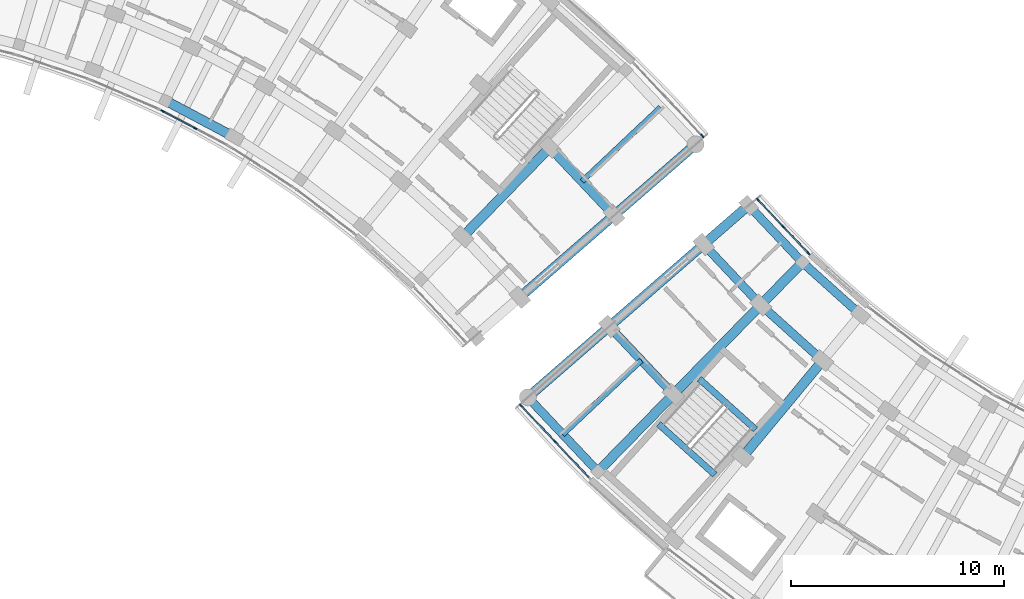
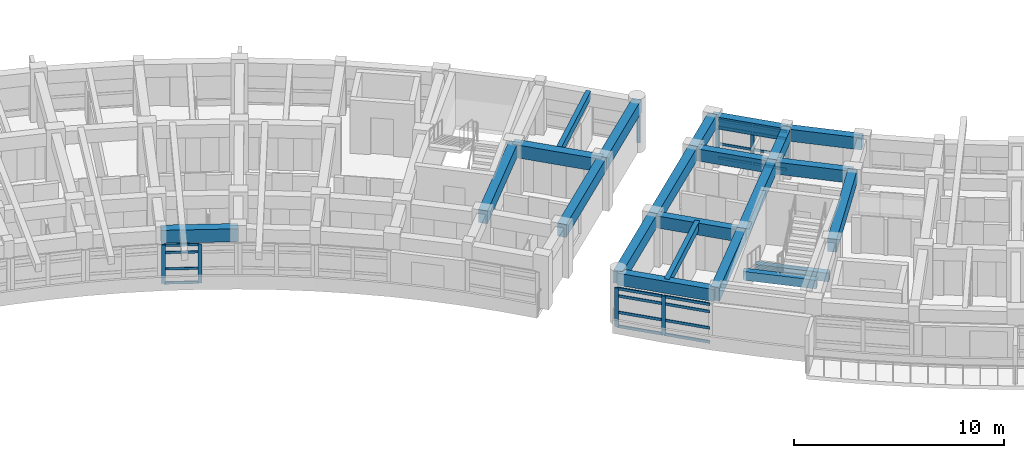
# One storey, part 21 of 70: 28 members, 22 beams, 4 elements without a shape of their own.
"""IFC4 building model written with IfcOpenShell, lengths in metres."""

from ifc_helpers import new_model, si_unit, direction, frame, origin, origin_2d, place, context, subcontext, project, spatial, rectangle, extrude, material, material_profile, profile_set, type_object, element, aggregate, save


model = new_model("IFC4")

# Units and contexts
model_context = context("Model", 3, precision=1e-05, world=origin(), true_north=direction((0.0, 1.0)))
body_context = subcontext(model_context, "Body", "Model", "MODEL_VIEW")
ifc_project = project(units=[si_unit("LENGTHUNIT", "METRE"), si_unit("AREAUNIT", "SQUARE_METRE"), si_unit("VOLUMEUNIT", "CUBIC_METRE"), si_unit("PLANEANGLEUNIT", "RADIAN"), si_unit("MASSUNIT", "GRAM", prefix="KILO")], contexts=[model_context])

# Site, building, storey
site_placement = place(None, origin())
site = spatial("IfcSite", under=ifc_project, at=site_placement, CompositionType="ELEMENT")
building_placement = place(site_placement, origin())
building = spatial("IfcBuilding", under=site, at=building_placement, Name="Zimvara Arc Housing Community", CompositionType="ELEMENT")
storey_placement = place(building_placement, frame((0.0, 0.0, 8.10009765625)))
storey = spatial("IfcBuildingStorey", under=building, at=storey_placement, Name="L02", CompositionType="ELEMENT", Elevation=8.10009765625)

# Beams
ifc_material_1 = material(Name="Concrete C40/50", Category="concrete")
ifc_material_profile_1 = material_profile(ifc_material_1, rectangle(XDim=0.25, YDim=0.449951171875, at=origin_2d()), Name="RC 250x450")
ifc_profile_set_1 = profile_set([ifc_material_profile_1], Name="Concrete C40/50")
beam_type_1 = type_object("IfcBeamType", Name="BM-RC-250x450", PredefinedType="JOIST", material=ifc_profile_set_1)
for number, where, z_axis, x_axis, name in (
    (1, (84.095703125, 81.3935546875, 2.65478515625), (0.727299876429, 0.686319815936, 0.0), (-0.686319815936, 0.727299876429, 0.0), "bm:blkB:L02:joist:b9"),
    (2, (86.88427734375, 72.966552734375, 2.65478515625), (-0.727299876429, -0.686319815936, 0.0), (0.686319815936, -0.727299876429, 0.0), "bm:blkC:L02:joist:b0"),
):
    element("IfcBeam", number, at=place(storey_placement, frame(where, z_axis=z_axis, x_axis=x_axis)), inside=storey, type_object=beam_type_1, Name=name, PredefinedType="JOIST", context=body_context, shape_type="SweptSolid", body=[
        extrude(rectangle(XDim=0.25, YDim=0.449951171875, at=origin_2d()), origin(), (0.0, 0.0, 1.0), 5.075927734375),
    ])
ifc_material_2 = material(Name="Concrete C40/50", Category="concrete")
ifc_material_profile_2 = material_profile(ifc_material_2, rectangle(XDim=0.300048828125, YDim=0.5, at=origin_2d()), Name="RC 300x500")
ifc_profile_set_2 = profile_set([ifc_material_profile_2], Name="Concrete C40/50")
beam_type_2 = type_object("IfcBeamType", Name="BM-RC-300x500", PredefinedType="BEAM", material=ifc_profile_set_2)
beam_1_placement = place(storey_placement, frame((89.604248046875, 72.100830078125, -0.25), z_axis=(0.743396155404, -0.668851370732, 0.0), x_axis=(0.668851370732, 0.743396155404, 0.0)))
element("IfcBeam", 3, at=beam_1_placement, inside=storey, type_object=beam_type_2, Name="bm:stair_trim:ST-C1:L02:near", PredefinedType="BEAM", context=body_context, shape_type="SweptSolid", body=[
    extrude(rectangle(XDim=0.300048828125, YDim=0.5, at=origin_2d()), origin(), (0.0, 0.0, 1.0), 3.56982421875),
])
beam_2_placement = place(storey_placement, frame((87.68994140625, 69.973388671875, 1.2998046875), z_axis=(0.743362151162, -0.668889162881, 0.0), x_axis=(0.668889162881, 0.743362151162, 0.0)))
element("IfcBeam", 4, at=beam_2_placement, inside=storey, type_object=beam_type_2, Name="bm:stair_trim:ST-C1:L02:mid", PredefinedType="BEAM", context=body_context, shape_type="SweptSolid", body=[
    extrude(rectangle(XDim=0.300048828125, YDim=0.5, at=origin_2d()), origin(), (0.0, 0.0, 1.0), 3.570068359375),
])
ifc_material_3 = material(Name="Concrete C40/50", Category="concrete")
ifc_material_profile_3 = material_profile(ifc_material_3, rectangle(XDim=0.39990234375, YDim=0.699951171875, at=origin_2d()), Name="RC 400x700")
ifc_profile_set_3 = profile_set([ifc_material_profile_3], Name="Concrete C40/50")
beam_type_3 = type_object("IfcBeamType", Name="BM-RC-400x700", PredefinedType="BEAM", material=ifc_profile_set_3)
beam_3_placement = place(storey_placement, frame((91.927490234375, 80.258544921875, 2.52978515625), z_axis=(0.686335517678, -0.727285059088, 0.0), x_axis=(0.727285059088, 0.686335517678, 0.0)))
element("IfcBeam", 5, at=beam_3_placement, inside=storey, type_object=beam_type_3, Name="bm:blkC:L02:chord:r0:b0", PredefinedType="BEAM", context=body_context, shape_type="SweptSolid", body=[
    extrude(rectangle(XDim=0.39990234375, YDim=0.699951171875, at=origin_2d()), origin(), (0.0, 0.0, 1.0), 3.6845703125),
])
beam_4_placement = place(storey_placement, frame((94.456298828125, 77.578857421875, 2.52978515625), z_axis=(0.743366631239, -0.668884183966, 0.0), x_axis=(0.668884183966, 0.743366631239, 0.0)))
element("IfcBeam", 6, at=beam_4_placement, inside=storey, type_object=beam_type_3, Name="bm:blkC:L02:chord:r0:b1", PredefinedType="BEAM", context=body_context, shape_type="SweptSolid", body=[
    extrude(rectangle(XDim=0.39990234375, YDim=0.699951171875, at=origin_2d()), origin(), (0.0, 0.0, 1.0), 3.684326171875),
])
for number, where, z_axis, x_axis, name in (
    (7, (89.814208984375, 78.421630859375, 2.52978515625), (0.686346852505, -0.727274362299, 0.0), (0.727274362299, 0.686346852505, 0.0), "bm:blkC:L02:chord:r1:b0"),
    (8, (92.5, 75.57568359375, 2.52978515625), (0.743371697344, -0.668878553691, 0.0), (0.668878553691, 0.743371697344, 0.0), "bm:blkC:L02:chord:r1:b1"),
):
    element("IfcBeam", number, at=place(storey_placement, frame(where, z_axis=z_axis, x_axis=x_axis)), inside=storey, type_object=beam_type_3, Name=name, PredefinedType="BEAM", context=body_context, shape_type="SweptSolid", body=[
        extrude(rectangle(XDim=0.39990234375, YDim=0.699951171875, at=origin_2d()), origin(), (0.0, 0.0, 1.0), 3.9130859375),
    ])
beam_5_placement = place(storey_placement, frame((85.376708984375, 74.56396484375, 2.52978515625), z_axis=(0.686331377274, -0.727288966347, 0.0), x_axis=(0.727288966347, 0.686331377274, 0.0)))
element("IfcBeam", 9, at=beam_5_placement, inside=storey, type_object=beam_type_3, Name="bm:blkC:L02:chord:r2:b0", PredefinedType="BEAM", context=body_context, shape_type="SweptSolid", body=[
    extrude(rectangle(XDim=0.39990234375, YDim=0.699951171875, at=origin_2d()), origin(), (0.0, 0.0, 1.0), 4.39306640625),
])
beam_6_placement = place(storey_placement, frame((81.542724609375, 71.231201171875, 2.52978515625), z_axis=(0.686320791145, -0.727298956168, 0.0), x_axis=(0.727298956168, 0.686320791145, 0.0)))
element("IfcBeam", 10, at=beam_6_placement, inside=storey, type_object=beam_type_3, Name="bm:blkC:L02:chord:r3:b0", PredefinedType="BEAM", context=body_context, shape_type="SweptSolid", body=[
    extrude(rectangle(XDim=0.39990234375, YDim=0.699951171875, at=origin_2d()), origin(), (0.0, 0.0, 1.0), 4.807861328125),
])
ifc_material_4 = material(Name="Concrete C40/50", Category="concrete")
ifc_material_profile_4 = material_profile(ifc_material_4, rectangle(XDim=0.449951171875, YDim=0.75, at=origin_2d()), Name="RC 450x750")
ifc_profile_set_4 = profile_set([ifc_material_profile_4], Name="Concrete C40/50")
beam_type_4 = type_object("IfcBeamType", Name="BM-RC-450x750", PredefinedType="BEAM", material=ifc_profile_set_4)
beam_7_placement = place(storey_placement, frame((64.49560546875, 85.190673828125, 2.5048828125), z_axis=(0.883449220086, -0.468526920815, 0.0), x_axis=(0.468526920815, 0.883449220086, 0.0)))
element("IfcBeam", 11, at=beam_7_placement, inside=storey, type_object=beam_type_4, Name="bm:blkB:L02:chord:r0:b5", PredefinedType="BEAM", context=body_context, shape_type="SweptSolid", body=[
    extrude(rectangle(XDim=0.449951171875, YDim=0.75, at=origin_2d()), origin(), (0.0, 0.0, 1.0), 3.6845703125),
])
beam_8_placement = place(storey_placement, frame((82.588134765625, 82.9912109375, 2.5048828125), z_axis=(0.686303637813, -0.727315142648, 0.0), x_axis=(0.727315142648, 0.686303637813, 0.0)))
element("IfcBeam", 12, at=beam_8_placement, inside=storey, type_object=beam_type_4, Name="bm:blkB:L02:chord:r2:b9", PredefinedType="BEAM", context=body_context, shape_type="SweptSolid", body=[
    extrude(rectangle(XDim=0.449951171875, YDim=0.75, at=origin_2d()), origin(), (0.0, 0.0, 1.0), 4.393310546875),
])
for number, where, z_axis, x_axis, name in (
    (13, (78.47998046875, 78.784423828125, 2.5048828125), (0.698669844288, 0.715444231707, 0.0), (-0.715444231707, 0.698669844288, 0.0), "bm:blkB:L02:rad:b9:r12"),
    (14, (81.165771484375, 75.938232421875, 2.5048828125), (0.754692223258, 0.656078995362, 0.0), (-0.656078995362, 0.754692223258, 0.0), "bm:blkB:L02:rad:b10:r12"),
):
    element("IfcBeam", number, at=place(storey_placement, frame(where, z_axis=z_axis, x_axis=x_axis)), inside=storey, type_object=beam_type_4, Name=name, PredefinedType="BEAM", context=body_context, shape_type="SweptSolid", body=[
        extrude(rectangle(XDim=0.449951171875, YDim=0.75, at=origin_2d()), origin(), (0.0, 0.0, 1.0), 5.8798828125),
    ])
beam_9_placement = place(storey_placement, frame((85.603271484375, 79.7958984375, 2.5048828125), z_axis=(0.754716217499, 0.656051393599, 0.0), x_axis=(-0.656051393599, 0.754716217499, 0.0)))
element("IfcBeam", 15, at=beam_9_placement, inside=storey, type_object=beam_type_4, Name="bm:blkB:L02:rad:b10:r23", PredefinedType="BEAM", context=body_context, shape_type="SweptSolid", body=[
    extrude(rectangle(XDim=0.449951171875, YDim=0.75, at=origin_2d()), origin(), (0.0, 0.0, 1.0), 5.080078125),
])
beam_10_placement = place(storey_placement, frame((91.927490234375, 80.258544921875, 2.5048828125), z_axis=(-0.754733151583, -0.656031912259, 0.0), x_axis=(0.656031912259, -0.754733151583, 0.0)))
element("IfcBeam", 16, at=beam_10_placement, inside=storey, type_object=beam_type_4, Name="bm:blkC:L02:rad:b0:r01", PredefinedType="BEAM", context=body_context, shape_type="SweptSolid", body=[
    extrude(rectangle(XDim=0.449951171875, YDim=0.75, at=origin_2d()), origin(), (0.0, 0.0, 1.0), 2.800048828125),
])
beam_11_placement = place(storey_placement, frame((89.814208984375, 78.421630859375, 2.5048828125), z_axis=(-0.754692223258, -0.656078995362, 0.0), x_axis=(0.656078995362, -0.754692223258, 0.0)))
element("IfcBeam", 17, at=beam_11_placement, inside=storey, type_object=beam_type_4, Name="bm:blkC:L02:rad:b0:r12", PredefinedType="BEAM", context=body_context, shape_type="SweptSolid", body=[
    extrude(rectangle(XDim=0.449951171875, YDim=0.75, at=origin_2d()), origin(), (0.0, 0.0, 1.0), 5.8798828125),
])
beam_12_placement = place(storey_placement, frame((85.376708984375, 74.56396484375, 2.5048828125), z_axis=(-0.754716217499, -0.656051393599, 0.0), x_axis=(0.656051393599, -0.754716217499, 0.0)))
element("IfcBeam", 18, at=beam_12_placement, inside=storey, type_object=beam_type_4, Name="bm:blkC:L02:rad:b0:r23", PredefinedType="BEAM", context=body_context, shape_type="SweptSolid", body=[
    extrude(rectangle(XDim=0.449951171875, YDim=0.75, at=origin_2d()), origin(), (0.0, 0.0, 1.0), 5.080078125),
])
beam_13_placement = place(storey_placement, frame((94.456298828125, 77.578857421875, 2.5048828125), z_axis=(-0.69868659732, -0.715427871085, 0.0), x_axis=(0.715427871085, -0.69868659732, 0.0)))
element("IfcBeam", 19, at=beam_13_placement, inside=storey, type_object=beam_type_4, Name="bm:blkC:L02:rad:b1:r01", PredefinedType="BEAM", context=body_context, shape_type="SweptSolid", body=[
    extrude(rectangle(XDim=0.449951171875, YDim=0.75, at=origin_2d()), origin(), (0.0, 0.0, 1.0), 2.800048828125),
])
beam_14_placement = place(storey_placement, frame((92.5, 75.57568359375, 2.5048828125), z_axis=(-0.698669844288, -0.715444231707, 0.0), x_axis=(0.715444231707, -0.698669844288, 0.0)))
element("IfcBeam", 20, at=beam_14_placement, inside=storey, type_object=beam_type_4, Name="bm:blkC:L02:rad:b1:r12", PredefinedType="BEAM", context=body_context, shape_type="SweptSolid", body=[
    extrude(rectangle(XDim=0.449951171875, YDim=0.75, at=origin_2d()), origin(), (0.0, 0.0, 1.0), 5.8798828125),
])
beam_15_placement = place(storey_placement, frame((88.391845703125, 71.368896484375, 2.5048828125), z_axis=(-0.698670885014, -0.71544321538, 0.0), x_axis=(0.71544321538, -0.698670885014, 0.0)))
element("IfcBeam", 21, at=beam_15_placement, inside=storey, type_object=beam_type_4, Name="bm:blkC:L02:rad:b1:r23", PredefinedType="BEAM", context=body_context, shape_type="SweptSolid", body=[
    extrude(rectangle(XDim=0.449951171875, YDim=0.75, at=origin_2d()), origin(), (0.0, 0.0, 1.0), 5.080078125),
])
beam_16_placement = place(storey_placement, frame((95.408935546875, 72.958251953125, 2.5048828125), z_axis=(-0.637976362518, -0.770055946583, 0.0), x_axis=(0.770055946583, -0.637976362518, 0.0)))
element("IfcBeam", 22, at=beam_16_placement, inside=storey, type_object=beam_type_4, Name="bm:blkC:L02:rad:b2:r12", PredefinedType="BEAM", context=body_context, shape_type="SweptSolid", body=[
    extrude(rectangle(XDim=0.449951171875, YDim=0.75, at=origin_2d()), origin(), (0.0, 0.0, 1.0), 5.8798828125),
])

# Curtain wall, members
ifc_material_5 = material(Name="Anodised Aluminium AW-6063", Category="aluminium")
curtain_wall_type_1 = type_object("IfcCurtainWallType", Name="CW-SYS-08", PredefinedType="USERDEFINED", material=ifc_material_5)
curtain_wall_1_placement = place(storey_placement, origin())
curtain_wall_1 = element("IfcCurtainWall", 23, at=curtain_wall_1_placement, inside=storey, type_object=curtain_wall_type_1, Name="cw:blkB:L02:in:b5", ObjectType="CURTAIN WALL", PredefinedType="USERDEFINED")
ifc_material_6 = material(Name="Anodised Aluminium AW-6063", Category="aluminium")
ifc_material_profile_5 = material_profile(ifc_material_6, rectangle(XDim=0.06494140625, YDim=0.179931640625, at=origin_2d()), Name="ALU 65x180")
ifc_profile_set_5 = profile_set([ifc_material_profile_5], Name="Anodised Aluminium AW-6063")
member_type_1 = type_object("IfcMemberType", Name="CWM-65x150", PredefinedType="MULLION", material=ifc_profile_set_5)
member_1_placement = place(storey_placement, frame((64.361328125, 84.696533203125, 0.0), z_axis=(0.0, 0.0, 1.0), x_axis=(0.468544648573, 0.88343981815, 0.0)))
member_1 = element("IfcMember", 24, at=member_1_placement, type_object=member_type_1, Name="CW08 mullion 1", PredefinedType="MULLION", context=body_context, shape_type="SweptSolid", body=[
    extrude(rectangle(XDim=0.06494140625, YDim=0.179931640625, at=origin_2d()), origin(), (0.0, 0.0, 1.0), 2.25),
])
member_2_placement = place(storey_placement, frame((65.88916015625, 83.88623046875, 0.0), z_axis=(0.0, 0.0, 1.0), x_axis=(0.468544648573, 0.88343981815, 0.0)))
member_2 = element("IfcMember", 25, at=member_2_placement, type_object=member_type_1, Name="CW08 mullion 2", PredefinedType="MULLION", context=body_context, shape_type="SweptSolid", body=[
    extrude(rectangle(XDim=0.06494140625, YDim=0.179931640625, at=origin_2d()), origin(), (0.0, 0.0, 1.0), 2.25),
])

ifc_material_7 = material(Name="Anodised Aluminium AW-6063", Category="aluminium")
curtain_wall_type_2 = type_object("IfcCurtainWallType", Name="CW-SYS-06", PredefinedType="USERDEFINED", material=ifc_material_7)
curtain_wall_2_placement = place(storey_placement, origin())
curtain_wall_2 = element("IfcCurtainWall", 26, at=curtain_wall_2_placement, inside=storey, type_object=curtain_wall_type_2, Name="cw:blkC:L02:in:b0", ObjectType="CURTAIN WALL", PredefinedType="USERDEFINED")
member_3_placement = place(storey_placement, frame((92.368408203125, 80.519287109375, 0.0), z_axis=(0.0, 0.0, 1.0), x_axis=(0.727293280483, 0.686326805658, 0.0)))
member_3 = element("IfcMember", 27, at=member_3_placement, type_object=member_type_1, Name="CW06 mullion 1", PredefinedType="MULLION", context=body_context, shape_type="SweptSolid", body=[
    extrude(rectangle(XDim=0.06494140625, YDim=0.179931640625, at=origin_2d()), origin(), (0.0, 0.0, 1.0), 2.25),
])
member_4_placement = place(storey_placement, frame((93.55517578125, 79.26171875, 0.0), z_axis=(0.0, 0.0, 1.0), x_axis=(0.727293280483, 0.686326805658, 0.0)))
member_4 = element("IfcMember", 28, at=member_4_placement, type_object=member_type_1, Name="CW06 mullion 2", PredefinedType="MULLION", context=body_context, shape_type="SweptSolid", body=[
    extrude(rectangle(XDim=0.06494140625, YDim=0.179931640625, at=origin_2d()), origin(), (0.0, 0.0, 1.0), 2.25),
])
member_5_placement = place(storey_placement, frame((94.7421875, 78.00390625, 0.0), z_axis=(0.0, 0.0, 1.0), x_axis=(0.727293280483, 0.686326805658, 0.0)))
member_5 = element("IfcMember", 29, at=member_5_placement, type_object=member_type_1, Name="CW06 mullion 3", PredefinedType="MULLION", context=body_context, shape_type="SweptSolid", body=[
    extrude(rectangle(XDim=0.06494140625, YDim=0.179931640625, at=origin_2d()), origin(), (0.0, 0.0, 1.0), 2.25),
])

# Curtain wall, member
ifc_material_8 = material(Name="Anodised Aluminium AW-6063", Category="aluminium")
curtain_wall_type_3 = type_object("IfcCurtainWallType", Name="CW-SYS-05", PredefinedType="USERDEFINED", material=ifc_material_8)
curtain_wall_3_placement = place(storey_placement, origin())
curtain_wall_3 = element("IfcCurtainWall", 30, at=curtain_wall_3_placement, inside=storey, type_object=curtain_wall_type_3, Name="cw:blkB:L02:out:b9", ObjectType="CURTAIN WALL", PredefinedType="USERDEFINED")
ifc_material_9 = material(Name="Anodised Aluminium AW-6063", Category="aluminium")
ifc_material_profile_6 = material_profile(ifc_material_9, rectangle(XDim=0.06494140625, YDim=0.195068359375, at=origin_2d()), Name="ALU 65x195")
ifc_profile_set_6 = profile_set([ifc_material_profile_6], Name="Anodised Aluminium AW-6063")
member_type_2 = type_object("IfcMemberType", Name="CWM-65x180", PredefinedType="MULLION", material=ifc_profile_set_6)
member_6_placement = place(storey_placement, frame((89.751220703125, 83.524169921875, 0.0), z_axis=(0.0, 0.0, 1.0), x_axis=(0.727293647725, 0.686326416495, 0.0)))
member_6 = element("IfcMember", 31, at=member_6_placement, type_object=member_type_2, Name="CW05 mullion 3", PredefinedType="MULLION", context=body_context, shape_type="SweptSolid", body=[
    extrude(rectangle(XDim=0.06494140625, YDim=0.195068359375, at=origin_2d()), origin(), (0.0, 0.0, 1.0), 2.25),
])
aggregate(curtain_wall_3, [member_6])

# Curtain wall, members
curtain_wall_4_placement = place(storey_placement, origin())
curtain_wall_4 = element("IfcCurtainWall", 32, at=curtain_wall_4_placement, inside=storey, type_object=curtain_wall_type_3, Name="cw:blkC:L02:out:b0", ObjectType="CURTAIN WALL", PredefinedType="USERDEFINED")
member_7_placement = place(storey_placement, frame((81.228759765625, 70.8359375, 0.0), z_axis=(0.0, 0.0, 1.0), x_axis=(0.727293647725, 0.686326416495, 0.0)))
member_7 = element("IfcMember", 33, at=member_7_placement, type_object=member_type_2, Name="CW05 mullion 1", PredefinedType="MULLION", context=body_context, shape_type="SweptSolid", body=[
    extrude(rectangle(XDim=0.06494140625, YDim=0.195068359375, at=origin_2d()), origin(), (0.0, 0.0, 1.0), 2.25),
])
member_8_placement = place(storey_placement, frame((82.829345703125, 69.139892578125, 0.0), z_axis=(0.0, 0.0, 1.0), x_axis=(0.727293647725, 0.686326416495, 0.0)))
member_8 = element("IfcMember", 34, at=member_8_placement, type_object=member_type_2, Name="CW05 mullion 2", PredefinedType="MULLION", context=body_context, shape_type="SweptSolid", body=[
    extrude(rectangle(XDim=0.06494140625, YDim=0.195068359375, at=origin_2d()), origin(), (0.0, 0.0, 1.0), 2.25),
])

# Member
ifc_material_10 = material(Name="Anodised Aluminium AW-6063", Category="aluminium")
ifc_material_profile_7 = material_profile(ifc_material_10, rectangle(XDim=0.06494140625, YDim=0.139892578125, at=origin_2d()), Name="ALU 65x140")
ifc_profile_set_7 = profile_set([ifc_material_profile_7], Name="Anodised Aluminium AW-6063")
member_type_3 = type_object("IfcMemberType", Name="CWT-65x120", PredefinedType="USERDEFINED", material=ifc_profile_set_7)
member_9_placement = place(storey_placement, frame((64.39013671875, 84.68115234375, 0.032470703125), z_axis=(0.8834308201, -0.468561613982, 0.0), x_axis=(0.468561613982, 0.8834308201, 0.0)))
member_9 = element("IfcMember", 35, at=member_9_placement, type_object=member_type_3, Name="CW08 transom 1.1", ObjectType="TRANSOM", PredefinedType="USERDEFINED", context=body_context, shape_type="SweptSolid", body=[
    extrude(rectangle(XDim=0.06494140625, YDim=0.139892578125, at=origin_2d()), origin(), (0.0, 0.0, 1.0), 1.664306640625),
])

member_10_placement = place(storey_placement, frame((64.39013671875, 84.68115234375, 0.849853515625), z_axis=(0.8834308201, -0.468561613982, 0.0), x_axis=(0.468561613982, 0.8834308201, 0.0)))
member_10 = element("IfcMember", 36, at=member_10_placement, type_object=member_type_3, Name="CW08 transom 1.2", ObjectType="TRANSOM", PredefinedType="USERDEFINED", context=body_context, shape_type="SweptSolid", body=[
    extrude(rectangle(XDim=0.06494140625, YDim=0.139892578125, at=origin_2d()), origin(), (0.0, 0.0, 1.0), 1.664306640625),
])

member_11_placement = place(storey_placement, frame((64.39013671875, 84.68115234375, 1.7998046875), z_axis=(0.8834308201, -0.468561613982, 0.0), x_axis=(0.468561613982, 0.8834308201, 0.0)))
member_11 = element("IfcMember", 37, at=member_11_placement, type_object=member_type_3, Name="CW08 transom 1.3", ObjectType="TRANSOM", PredefinedType="USERDEFINED", context=body_context, shape_type="SweptSolid", body=[
    extrude(rectangle(XDim=0.06494140625, YDim=0.139892578125, at=origin_2d()), origin(), (0.0, 0.0, 1.0), 1.664306640625),
])

member_12_placement = place(storey_placement, frame((64.39013671875, 84.68115234375, 2.21728515625), z_axis=(0.8834308201, -0.468561613982, 0.0), x_axis=(0.468561613982, 0.8834308201, 0.0)))
member_12 = element("IfcMember", 38, at=member_12_placement, type_object=member_type_3, Name="CW08 transom 1.4", ObjectType="TRANSOM", PredefinedType="USERDEFINED", context=body_context, shape_type="SweptSolid", body=[
    extrude(rectangle(XDim=0.06494140625, YDim=0.139892578125, at=origin_2d()), origin(), (0.0, 0.0, 1.0), 1.664306640625),
])

aggregate(curtain_wall_1, [member_1, member_2, member_9, member_10, member_11, member_12])

member_13_placement = place(storey_placement, frame((92.390625, 80.495849609375, 0.032470703125), z_axis=(0.686347817597, -0.727273451516, 0.0), x_axis=(0.727273451516, 0.686347817597, 0.0)))
member_13 = element("IfcMember", 39, at=member_13_placement, type_object=member_type_3, Name="CW06 transom 1.1", ObjectType="TRANSOM", PredefinedType="USERDEFINED", context=body_context, shape_type="SweptSolid", body=[
    extrude(rectangle(XDim=0.06494140625, YDim=0.139892578125, at=origin_2d()), origin(), (0.0, 0.0, 1.0), 1.664306640625),
])

member_14_placement = place(storey_placement, frame((92.390625, 80.495849609375, 0.849853515625), z_axis=(0.686347817597, -0.727273451516, 0.0), x_axis=(0.727273451516, 0.686347817597, 0.0)))
member_14 = element("IfcMember", 40, at=member_14_placement, type_object=member_type_3, Name="CW06 transom 1.2", ObjectType="TRANSOM", PredefinedType="USERDEFINED", context=body_context, shape_type="SweptSolid", body=[
    extrude(rectangle(XDim=0.06494140625, YDim=0.139892578125, at=origin_2d()), origin(), (0.0, 0.0, 1.0), 1.664306640625),
])

member_15_placement = place(storey_placement, frame((92.390625, 80.495849609375, 1.7998046875), z_axis=(0.686347817597, -0.727273451516, 0.0), x_axis=(0.727273451516, 0.686347817597, 0.0)))
member_15 = element("IfcMember", 41, at=member_15_placement, type_object=member_type_3, Name="CW06 transom 1.3", ObjectType="TRANSOM", PredefinedType="USERDEFINED", context=body_context, shape_type="SweptSolid", body=[
    extrude(rectangle(XDim=0.06494140625, YDim=0.139892578125, at=origin_2d()), origin(), (0.0, 0.0, 1.0), 1.664306640625),
])

member_16_placement = place(storey_placement, frame((92.390625, 80.495849609375, 2.21728515625), z_axis=(0.686347817597, -0.727273451516, 0.0), x_axis=(0.727273451516, 0.686347817597, 0.0)))
member_16 = element("IfcMember", 42, at=member_16_placement, type_object=member_type_3, Name="CW06 transom 1.4", ObjectType="TRANSOM", PredefinedType="USERDEFINED", context=body_context, shape_type="SweptSolid", body=[
    extrude(rectangle(XDim=0.06494140625, YDim=0.139892578125, at=origin_2d()), origin(), (0.0, 0.0, 1.0), 1.664306640625),
])

member_17_placement = place(storey_placement, frame((93.57763671875, 79.238037109375, 0.032470703125), z_axis=(0.686270219286, -0.727346675335, 0.0), x_axis=(0.727346675335, 0.686270219286, 0.0)))
member_17 = element("IfcMember", 43, at=member_17_placement, type_object=member_type_3, Name="CW06 transom 2.1", ObjectType="TRANSOM", PredefinedType="USERDEFINED", context=body_context, shape_type="SweptSolid", body=[
    extrude(rectangle(XDim=0.06494140625, YDim=0.139892578125, at=origin_2d()), origin(), (0.0, 0.0, 1.0), 1.664306640625),
])

member_18_placement = place(storey_placement, frame((93.57763671875, 79.238037109375, 0.849853515625), z_axis=(0.686270219286, -0.727346675335, 0.0), x_axis=(0.727346675335, 0.686270219286, 0.0)))
member_18 = element("IfcMember", 44, at=member_18_placement, type_object=member_type_3, Name="CW06 transom 2.2", ObjectType="TRANSOM", PredefinedType="USERDEFINED", context=body_context, shape_type="SweptSolid", body=[
    extrude(rectangle(XDim=0.06494140625, YDim=0.139892578125, at=origin_2d()), origin(), (0.0, 0.0, 1.0), 1.664306640625),
])

member_19_placement = place(storey_placement, frame((93.57763671875, 79.238037109375, 1.7998046875), z_axis=(0.686270219286, -0.727346675335, 0.0), x_axis=(0.727346675335, 0.686270219286, 0.0)))
member_19 = element("IfcMember", 45, at=member_19_placement, type_object=member_type_3, Name="CW06 transom 2.3", ObjectType="TRANSOM", PredefinedType="USERDEFINED", context=body_context, shape_type="SweptSolid", body=[
    extrude(rectangle(XDim=0.06494140625, YDim=0.139892578125, at=origin_2d()), origin(), (0.0, 0.0, 1.0), 1.664306640625),
])

member_20_placement = place(storey_placement, frame((93.57763671875, 79.238037109375, 2.21728515625), z_axis=(0.686270219286, -0.727346675335, 0.0), x_axis=(0.727346675335, 0.686270219286, 0.0)))
member_20 = element("IfcMember", 46, at=member_20_placement, type_object=member_type_3, Name="CW06 transom 2.4", ObjectType="TRANSOM", PredefinedType="USERDEFINED", context=body_context, shape_type="SweptSolid", body=[
    extrude(rectangle(XDim=0.06494140625, YDim=0.139892578125, at=origin_2d()), origin(), (0.0, 0.0, 1.0), 1.664306640625),
])

aggregate(curtain_wall_2, [member_3, member_4, member_5, member_13, member_14, member_15, member_16, member_17, member_18, member_19, member_20])

ifc_material_11 = material(Name="Anodised Aluminium AW-6063", Category="aluminium")
ifc_material_profile_8 = material_profile(ifc_material_11, rectangle(XDim=0.06494140625, YDim=0.155029296875, at=origin_2d()), Name="ALU 65x155")
ifc_profile_set_8 = profile_set([ifc_material_profile_8], Name="Anodised Aluminium AW-6063")
member_type_4 = type_object("IfcMemberType", Name="CWT-65x140", PredefinedType="USERDEFINED", material=ifc_profile_set_8)
member_21_placement = place(storey_placement, frame((81.251220703125, 70.812255859375, 0.032470703125), z_axis=(0.68629138792, -0.727326701604, 0.0), x_axis=(0.727326701604, 0.68629138792, 0.0)))
member_21 = element("IfcMember", 47, at=member_21_placement, type_object=member_type_4, Name="CW05 transom 1.1", ObjectType="TRANSOM", PredefinedType="USERDEFINED", context=body_context, shape_type="SweptSolid", body=[
    extrude(rectangle(XDim=0.06494140625, YDim=0.155029296875, at=origin_2d()), origin(), (0.0, 0.0, 1.0), 2.266845703125),
])

member_22_placement = place(storey_placement, frame((81.251220703125, 70.812255859375, 0.849853515625), z_axis=(0.68629138792, -0.727326701604, 0.0), x_axis=(0.727326701604, 0.68629138792, 0.0)))
member_22 = element("IfcMember", 48, at=member_22_placement, type_object=member_type_4, Name="CW05 transom 1.2", ObjectType="TRANSOM", PredefinedType="USERDEFINED", context=body_context, shape_type="SweptSolid", body=[
    extrude(rectangle(XDim=0.06494140625, YDim=0.155029296875, at=origin_2d()), origin(), (0.0, 0.0, 1.0), 2.266845703125),
])

member_23_placement = place(storey_placement, frame((81.251220703125, 70.812255859375, 1.7998046875), z_axis=(0.68629138792, -0.727326701604, 0.0), x_axis=(0.727326701604, 0.68629138792, 0.0)))
member_23 = element("IfcMember", 49, at=member_23_placement, type_object=member_type_4, Name="CW05 transom 1.3", ObjectType="TRANSOM", PredefinedType="USERDEFINED", context=body_context, shape_type="SweptSolid", body=[
    extrude(rectangle(XDim=0.06494140625, YDim=0.155029296875, at=origin_2d()), origin(), (0.0, 0.0, 1.0), 2.266845703125),
])

member_24_placement = place(storey_placement, frame((81.251220703125, 70.812255859375, 2.21728515625), z_axis=(0.68629138792, -0.727326701604, 0.0), x_axis=(0.727326701604, 0.68629138792, 0.0)))
member_24 = element("IfcMember", 50, at=member_24_placement, type_object=member_type_4, Name="CW05 transom 1.4", ObjectType="TRANSOM", PredefinedType="USERDEFINED", context=body_context, shape_type="SweptSolid", body=[
    extrude(rectangle(XDim=0.06494140625, YDim=0.155029296875, at=origin_2d()), origin(), (0.0, 0.0, 1.0), 2.266845703125),
])

member_25_placement = place(storey_placement, frame((82.8515625, 69.1162109375, 0.032470703125), z_axis=(0.686348357589, -0.727272941911, 0.0), x_axis=(0.727272941911, 0.686348357589, 0.0)))
member_25 = element("IfcMember", 51, at=member_25_placement, type_object=member_type_4, Name="CW05 transom 2.1", ObjectType="TRANSOM", PredefinedType="USERDEFINED", context=body_context, shape_type="SweptSolid", body=[
    extrude(rectangle(XDim=0.06494140625, YDim=0.155029296875, at=origin_2d()), origin(), (0.0, 0.0, 1.0), 2.266845703125),
])

member_26_placement = place(storey_placement, frame((82.8515625, 69.1162109375, 0.849853515625), z_axis=(0.686348357589, -0.727272941911, 0.0), x_axis=(0.727272941911, 0.686348357589, 0.0)))
member_26 = element("IfcMember", 52, at=member_26_placement, type_object=member_type_4, Name="CW05 transom 2.2", ObjectType="TRANSOM", PredefinedType="USERDEFINED", context=body_context, shape_type="SweptSolid", body=[
    extrude(rectangle(XDim=0.06494140625, YDim=0.155029296875, at=origin_2d()), origin(), (0.0, 0.0, 1.0), 2.266845703125),
])

member_27_placement = place(storey_placement, frame((82.8515625, 69.1162109375, 1.7998046875), z_axis=(0.686348357589, -0.727272941911, 0.0), x_axis=(0.727272941911, 0.686348357589, 0.0)))
member_27 = element("IfcMember", 53, at=member_27_placement, type_object=member_type_4, Name="CW05 transom 2.3", ObjectType="TRANSOM", PredefinedType="USERDEFINED", context=body_context, shape_type="SweptSolid", body=[
    extrude(rectangle(XDim=0.06494140625, YDim=0.155029296875, at=origin_2d()), origin(), (0.0, 0.0, 1.0), 2.266845703125),
])

member_28_placement = place(storey_placement, frame((82.8515625, 69.1162109375, 2.21728515625), z_axis=(0.686348357589, -0.727272941911, 0.0), x_axis=(0.727272941911, 0.686348357589, 0.0)))
member_28 = element("IfcMember", 54, at=member_28_placement, type_object=member_type_4, Name="CW05 transom 2.4", ObjectType="TRANSOM", PredefinedType="USERDEFINED", context=body_context, shape_type="SweptSolid", body=[
    extrude(rectangle(XDim=0.06494140625, YDim=0.155029296875, at=origin_2d()), origin(), (0.0, 0.0, 1.0), 2.266845703125),
])

aggregate(curtain_wall_4, [member_7, member_8, member_21, member_22, member_23, member_24, member_25, member_26, member_27, member_28])

save(model, "model.ifc")
